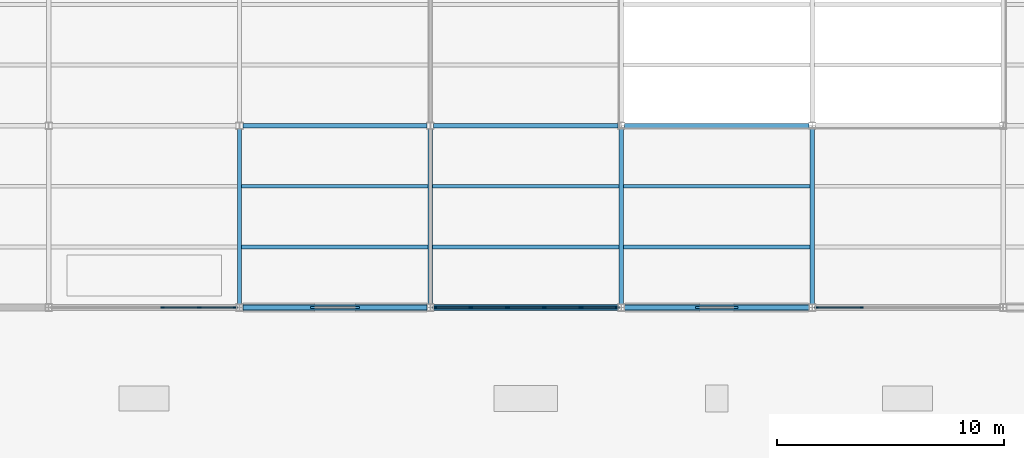
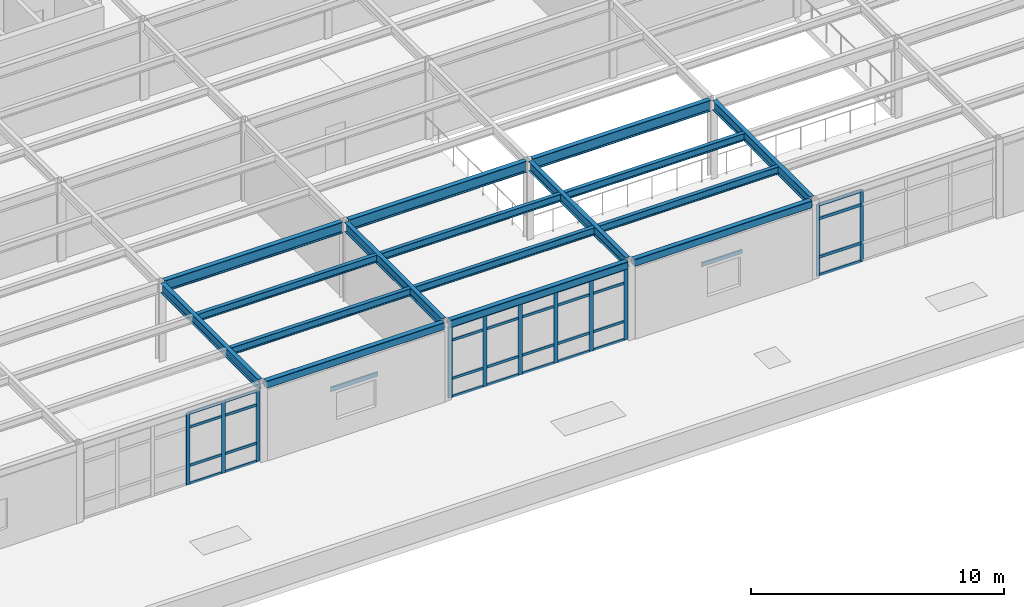
# One storey, part 30 of 138: 43 members, 18 beams, 3 elements without a shape of their own.
"""IFC4 building model written with IfcOpenShell, lengths in metres."""

import ifcopenshell
import ifcopenshell.guid

model = None  # the IFC model being written
_history = None  # IfcOwnerHistory: only IFC2X3 demands one
_inside = {}  # id of a spatial element -> (the spatial element, [elements in it])
_under = {}  # id of a project, library or spatial element -> (it, [spatial elements below it])
_declared = {}  # id of a project -> (the project, [libraries it declares])
_typed = {}  # id of a type object -> (the type object, [elements of that type])
_made_of = {}  # id of a material, layer set ... -> (it, [elements and type objects made of it])


def new_model(schema):
    """Start an empty IFC model of exactly this schema.

    Asked for "IFC4X3", IfcOpenShell would pick the latest addendum, in which some entities
    have other attributes; the version numbers below select the first issue.
    IFC2X3 requires an IfcOwnerHistory on every rooted entity: one is made here for all.
    """
    global model, _history
    if schema == "IFC4X3":
        model = ifcopenshell.file(schema_version=(4, 3, 0, 0))
    else:
        model = ifcopenshell.file(schema=schema)
    _inside.clear()
    _under.clear()
    _declared.clear()
    _typed.clear()
    _made_of.clear()
    _history = None
    if model.schema == "IFC2X3":
        org = make("IfcOrganization", Name="unknown")
        user = make(
            "IfcPersonAndOrganization",
            ThePerson=make("IfcPerson", FamilyName="unknown"),
            TheOrganization=org,
        )
        app = make(
            "IfcApplication",
            ApplicationDeveloper=org,
            Version="unknown",
            ApplicationFullName="unknown",
            ApplicationIdentifier="unknown",
        )
        _history = make(
            "IfcOwnerHistory",
            OwningUser=user,
            OwningApplication=app,
            ChangeAction="ADDED",
            CreationDate=0,
        )
    return model


def make(cls, **values):
    """One entity of the class cls with the attributes given. An attribute that is None is left unset."""
    return model.create_entity(
        cls, **{name: value for name, value in values.items() if value is not None}
    )


def rooted(cls, **values):
    """An entity with a GlobalId (a new one), such as an element, a storey or a relation."""
    return make(cls, GlobalId=ifcopenshell.guid.new(), OwnerHistory=_history, **values)


def si_unit(unit_type, name, prefix=None):
    """IfcSIUnit, for example si_unit("LENGTHUNIT", "METRE", prefix="MILLI")."""
    return make("IfcSIUnit", UnitType=unit_type, Prefix=prefix, Name=name)


def assignment(units):
    """IfcUnitAssignment: the units of a project."""
    return None if units is None else make("IfcUnitAssignment", Units=units)


def point(xyz):
    """IfcCartesianPoint."""
    return None if xyz is None else make("IfcCartesianPoint", Coordinates=xyz)


def direction(xyz):
    """IfcDirection."""
    return None if xyz is None else make("IfcDirection", DirectionRatios=xyz)


def frame(location, z_axis=None, x_axis=None):
    """IfcAxis2Placement3D, a coordinate frame: its origin and axes. An axis left out is left unset."""
    return make(
        "IfcAxis2Placement3D",
        Location=point(location),
        Axis=direction(z_axis),
        RefDirection=direction(x_axis),
    )


def frame_2d(location, x_axis=None):
    """IfcAxis2Placement2D, a coordinate frame in the plane: its origin and x axis."""
    return make(
        "IfcAxis2Placement2D", Location=point(location), RefDirection=direction(x_axis)
    )


def origin():
    """The frame at (0, 0, 0) with its axes left unset."""
    return frame((0.0, 0.0, 0.0))


def origin_2d():
    """The frame at (0, 0) in the plane with its x axis left unset."""
    return frame_2d((0.0, 0.0))


def place(relative_to, where):
    """IfcLocalPlacement: puts the frame where relative to a parent placement (None: the world)."""
    return make(
        "IfcLocalPlacement", PlacementRelTo=relative_to, RelativePlacement=where
    )


def context(
    kind, dimensions, precision=None, world=None, true_north=None, identifier=None
):
    """IfcGeometricRepresentationContext, for example the 3D "Model" context."""
    return make(
        "IfcGeometricRepresentationContext",
        ContextIdentifier=identifier,
        ContextType=kind,
        CoordinateSpaceDimension=dimensions,
        Precision=precision,
        WorldCoordinateSystem=world,
        TrueNorth=true_north,
    )


def subcontext(parent, identifier, kind, view, scale=None):
    """IfcGeometricRepresentationSubContext, for example "Body" below "Model"."""
    return make(
        "IfcGeometricRepresentationSubContext",
        ContextIdentifier=identifier,
        ContextType=kind,
        ParentContext=parent,
        TargetScale=scale,
        TargetView=view,
    )


def project(units=None, contexts=None):
    """IfcProject with its units and contexts."""
    return rooted(
        "IfcProject",
        Name="project",
        RepresentationContexts=contexts,
        UnitsInContext=assignment(units),
    )


def spatial(cls, under=None, at=None, **own):
    """A site, building, storey or space (cls), placed at a placement, below another one or the project."""
    s = rooted(cls, ObjectPlacement=at, **own)
    if under is not None:
        _under.setdefault(under.id(), (under, []))[1].append(s)
    return s


def profile(cls, at=None, kind="AREA", **sizes):
    """A parametric profile (cls). Its sizes go by their IFC names, for example OverallWidth=200.0."""
    return make(cls, ProfileType=kind, Position=at, **sizes)


def rectangle(**sizes):
    """IfcRectangleProfileDef."""
    return profile("IfcRectangleProfileDef", **sizes)


def hollow_rectangle(**sizes):
    """IfcRectangleHollowProfileDef."""
    return profile("IfcRectangleHollowProfileDef", **sizes)


def i_section(**sizes):
    """IfcIShapeProfileDef."""
    return profile("IfcIShapeProfileDef", **sizes)


def u_section(**sizes):
    """IfcUShapeProfileDef."""
    return profile("IfcUShapeProfileDef", **sizes)


def extrude(swept, where, along, depth):
    """IfcExtrudedAreaSolid: the profile swept, set in the frame where, extruded along a direction by depth."""
    return make(
        "IfcExtrudedAreaSolid",
        SweptArea=swept,
        Position=where,
        ExtrudedDirection=direction(along),
        Depth=depth,
    )


def shape(context_of_items, identifier, shape_type, items):
    """IfcShapeRepresentation: the items that make up one representation, for example the "Body"."""
    return make(
        "IfcShapeRepresentation",
        ContextOfItems=context_of_items,
        RepresentationIdentifier=identifier,
        RepresentationType=shape_type,
        Items=items,
    )


def material(Name=None, Category=None):
    """IfcMaterial."""
    return make("IfcMaterial", Name=Name, Category=Category)


def layer(
    of_material, thickness, ventilated=None, Name=None, Category=None, Priority=None
):
    """IfcMaterialLayer: one layer of a wall or slab, of a material (None: an air gap)."""
    return make(
        "IfcMaterialLayer",
        Material=of_material,
        LayerThickness=thickness,
        IsVentilated=ventilated,
        Name=Name,
        Category=Category,
        Priority=Priority,
    )


def layer_set(layers, Name=None):
    """IfcMaterialLayerSet."""
    return make("IfcMaterialLayerSet", MaterialLayers=layers, LayerSetName=Name)


def material_profile(
    of_material, cross_section, Name=None, Category=None, Priority=None
):
    """IfcMaterialProfile: a cross section and its material."""
    return make(
        "IfcMaterialProfile",
        Name=Name,
        Material=of_material,
        Profile=cross_section,
        Priority=Priority,
        Category=Category,
    )


def profile_set(profiles, Name=None, composite=None):
    """IfcMaterialProfileSet."""
    return make(
        "IfcMaterialProfileSet",
        Name=Name,
        MaterialProfiles=profiles,
        CompositeProfile=composite,
    )


def made_of(thing, what):
    """Note that an element or type object is made of a material, layer set ...; save() writes the relation."""
    if what is not None:
        _made_of.setdefault(what.id(), (what, []))[1].append(thing)
    return thing


def type_object(cls, material=None, **own):
    """A type object (cls), such as IfcWallType, which elements share."""
    return made_of(rooted(cls, **own), material)


def element(
    cls,
    number,
    at=None,
    inside=None,
    cuts=None,
    type_object=None,
    material=None,
    context=None,
    identifier="Body",
    shape_type=None,
    held_by="IfcProductDefinitionShape",
    body=None,
    shapes=None,
    **own,
):
    """One element of the class cls, such as IfcWall. Its Tag is "e" and its number.

    at: its placement. inside: the storey or other place that contains it. cuts: it is an
    opening in that element (IfcRelVoidsElement). A single representation is given by context,
    identifier, shape_type and body (its items); several are given by shapes. held_by: the class
    of the entity that holds the representations. save() writes the other relations.
    """
    e = rooted(cls, Tag="e%d" % number, ObjectPlacement=at, **own)
    if body is not None:
        shapes = [shape(context, identifier, shape_type, body)]
    if shapes is not None:
        e.Representation = make(held_by, Representations=shapes)
    if inside is not None:
        _inside.setdefault(inside.id(), (inside, []))[1].append(e)
    if cuts is not None:
        rooted(
            "IfcRelVoidsElement", RelatingBuildingElement=cuts, RelatedOpeningElement=e
        )
    if type_object is not None:
        _typed.setdefault(type_object.id(), (type_object, []))[1].append(e)
    return made_of(e, material)


def aggregate(whole, parts):
    """IfcRelAggregates: a whole, such as a stair, and the parts it consists of."""
    return rooted("IfcRelAggregates", RelatingObject=whole, RelatedObjects=parts)


def save(model, path):
    """Write the relations noted so far, then the file.

    IfcRelAggregates (storeys below a building ...), IfcRelContainedInSpatialStructure (elements
    in a storey), IfcRelDefinesByType, IfcRelAssociatesMaterial and IfcRelDeclares: one each for
    every whole, place, type object, material and project.
    """
    for whole, parts in _under.values():
        aggregate(whole, parts)
    for where, things in _inside.values():
        rooted(
            "IfcRelContainedInSpatialStructure",
            RelatedElements=things,
            RelatingStructure=where,
        )
    for kind, things in _typed.values():
        rooted("IfcRelDefinesByType", RelatedObjects=things, RelatingType=kind)
    for what, things in _made_of.values():
        rooted("IfcRelAssociatesMaterial", RelatedObjects=things, RelatingMaterial=what)
    for by, libraries in _declared.values():
        rooted("IfcRelDeclares", RelatingContext=by, RelatedDefinitions=libraries)
    model.write(path)


model = new_model("IFC4")

# Units and contexts
model_context = context("Model", 3, precision=1e-05, world=origin(), true_north=direction((0.0, 1.0)))
body_context = subcontext(model_context, "Body", "Model", "MODEL_VIEW")
ifc_project = project(units=[si_unit("LENGTHUNIT", "METRE"), si_unit("AREAUNIT", "SQUARE_METRE"), si_unit("VOLUMEUNIT", "CUBIC_METRE"), si_unit("PLANEANGLEUNIT", "RADIAN"), si_unit("MASSUNIT", "GRAM", prefix="KILO")], contexts=[model_context])

# Site, building, storey
site_placement = place(None, origin())
site = spatial("IfcSite", under=ifc_project, at=site_placement, CompositionType="ELEMENT")
building_placement = place(site_placement, origin())
building = spatial("IfcBuilding", under=site, at=building_placement, Name="Kranzveld Transit Interchange", CompositionType="ELEMENT")
storey_placement = place(building_placement, frame((0.0, 0.0, 5.43994140625)))
storey = spatial("IfcBuildingStorey", under=building, at=storey_placement, Name="L01", CompositionType="ELEMENT", Elevation=5.43994140625)

# Beams
ifc_material_1 = material(Name="Steel S355JR", Category="steel")
ifc_material_profile_1 = material_profile(ifc_material_1, i_section(OverallWidth=0.19189453125, OverallDepth=0.46337890625, WebThickness=0.010498046875, FlangeThickness=0.017578125, FilletRadius=0.01025390625, at=origin_2d()), Name="UB 457x191x89")
ifc_profile_set_1 = profile_set([ifc_material_profile_1], Name="Steel S355JR")
beam_type_1 = type_object("IfcBeamType", Name="Beam Steel UB 457x191x89 S355JR", PredefinedType="BEAM", material=ifc_profile_set_1)
for number, where, z_axis, x_axis, name in (
    (1, (67.199951171875, 8.150146484375, 3.568359375), (0.0, 1.0, 0.0), (-1.0, 0.0, 0.0), "L01 Girder 09/B-C"),
    (2, (75.60009765625, 8.150146484375, 3.568359375), (0.0, 1.0, 0.0), (-1.0, 0.0, 0.0), "L01 Girder 10/B-C"),
    (3, (84.0, 8.150146484375, 3.568359375), (0.0, 1.0, 0.0), (-1.0, 0.0, 0.0), "L01 Girder 11/B-C"),
    (4, (92.39990234375, 8.150146484375, 3.568359375), (0.0, 1.0, 0.0), (-1.0, 0.0, 0.0), "L01 Girder 12/B-C"),
):
    element("IfcBeam", number, at=place(storey_placement, frame(where, z_axis=z_axis, x_axis=x_axis)), inside=storey, type_object=beam_type_1, Name=name, PredefinedType="BEAM", context=body_context, shape_type="SweptSolid", body=[
        extrude(i_section(OverallWidth=0.19189453125, OverallDepth=0.46337890625, WebThickness=0.010498046875, FlangeThickness=0.017578125, FilletRadius=0.01025390625, at=origin_2d()), origin(), (0.0, 0.0, 1.0), 7.69970703125),
    ])

# Curtain wall, members
ifc_material_2 = material(Name="Bronze-anodised thermally broken aluminium", Category="aluminium")
ifc_layer_1 = layer(ifc_material_2, 0.159912109375)
ifc_layer_set_1 = layer_set([ifc_layer_1], Name="Bronze-anodised thermally broken aluminium")
curtain_wall_type_1 = type_object("IfcCurtainWallType", Name="Bus Boarding Glazed Screen CW-3", PredefinedType="USERDEFINED", material=ifc_layer_set_1)
curtain_wall_1_placement = place(storey_placement, origin())
curtain_wall_1 = element("IfcCurtainWall", 5, at=curtain_wall_1_placement, inside=storey, type_object=curtain_wall_type_1, Name="L01 Curtain Wall 12/B-13/B", ObjectType="CURTAIN WALL", PredefinedType="USERDEFINED")
ifc_material_3 = material(Name="Bronze-anodised thermally broken aluminium", Category="aluminium")
ifc_material_profile_2 = material_profile(ifc_material_3, rectangle(XDim=0.06005859375, YDim=0.14990234375, at=origin_2d()), Name="ALU MULLION 60x150")
ifc_profile_set_2 = profile_set([ifc_material_profile_2], Name="Bronze-anodised thermally broken aluminium")
member_type_1 = type_object("IfcMemberType", Name="Curtain Wall Mullion 60x150 Alu", PredefinedType="MULLION", material=ifc_profile_set_2)
member_1_placement = place(storey_placement, frame((92.584716796875, 8.0, 0.0), z_axis=(0.0, 0.0, 1.0), x_axis=(0.0, 1.0, 0.0)))
member_1 = element("IfcMember", 6, at=member_1_placement, type_object=member_type_1, Name="CW-3 mullion 1", PredefinedType="MULLION", context=body_context, shape_type="SweptSolid", body=[
    extrude(rectangle(XDim=0.06005859375, YDim=0.14990234375, at=origin_2d()), origin(), (0.0, 0.0, 1.0), 3.449951171875),
])
member_2_placement = place(storey_placement, frame((94.577392578125, 8.0, 0.0), z_axis=(0.0, 0.0, 1.0), x_axis=(0.0, 1.0, 0.0)))
member_2 = element("IfcMember", 7, at=member_2_placement, type_object=member_type_1, Name="CW-3 mullion 2", PredefinedType="MULLION", context=body_context, shape_type="SweptSolid", body=[
    extrude(rectangle(XDim=0.06005859375, YDim=0.14990234375, at=origin_2d()), origin(), (0.0, 0.0, 1.0), 3.449951171875),
])

ifc_material_4 = material(Name="Bronze-anodised thermally broken aluminium", Category="aluminium")
ifc_layer_2 = layer(ifc_material_4, 0.155029296875)
ifc_layer_set_2 = layer_set([ifc_layer_2], Name="Bronze-anodised thermally broken aluminium")
curtain_wall_type_2 = type_object("IfcCurtainWallType", Name="Operations Courtyard Glazed Screen CW-6", PredefinedType="USERDEFINED", material=ifc_layer_set_2)
curtain_wall_2_placement = place(storey_placement, origin())
curtain_wall_2 = element("IfcCurtainWall", 8, at=curtain_wall_2_placement, inside=storey, type_object=curtain_wall_type_2, Name="L01 Curtain Wall 08/B-09/B", ObjectType="CURTAIN WALL", PredefinedType="USERDEFINED")
ifc_material_5 = material(Name="Bronze-anodised thermally broken aluminium", Category="aluminium")
ifc_material_profile_3 = material_profile(ifc_material_5, rectangle(XDim=0.06494140625, YDim=0.1650390625, at=origin_2d()), Name="ALU MULLION 65x165")
ifc_profile_set_3 = profile_set([ifc_material_profile_3], Name="Bronze-anodised thermally broken aluminium")
member_type_2 = type_object("IfcMemberType", Name="Curtain Wall Mullion 65x165 Alu", PredefinedType="MULLION", material=ifc_profile_set_3)
member_3_placement = place(storey_placement, frame((63.80908203125, 8.0, 0.0), z_axis=(0.0, 0.0, 1.0), x_axis=(0.0, 1.0, 0.0)))
member_3 = element("IfcMember", 9, at=member_3_placement, type_object=member_type_2, Name="CW-6 mullion 4", PredefinedType="MULLION", context=body_context, shape_type="SweptSolid", body=[
    extrude(rectangle(XDim=0.06494140625, YDim=0.1650390625, at=origin_2d()), origin(), (0.0, 0.0, 1.0), 3.449951171875),
])
member_4_placement = place(storey_placement, frame((65.42724609375, 8.0, 0.0), z_axis=(0.0, 0.0, 1.0), x_axis=(0.0, 1.0, 0.0)))
member_4 = element("IfcMember", 10, at=member_4_placement, type_object=member_type_2, Name="CW-6 mullion 5", PredefinedType="MULLION", context=body_context, shape_type="SweptSolid", body=[
    extrude(rectangle(XDim=0.06494140625, YDim=0.1650390625, at=origin_2d()), origin(), (0.0, 0.0, 1.0), 3.449951171875),
])
member_5_placement = place(storey_placement, frame((67.012939453125, 8.0, 0.0), z_axis=(0.0, 0.0, 1.0), x_axis=(0.0, 1.0, 0.0)))
member_5 = element("IfcMember", 11, at=member_5_placement, type_object=member_type_2, Name="CW-6 mullion 6", PredefinedType="MULLION", context=body_context, shape_type="SweptSolid", body=[
    extrude(rectangle(XDim=0.06494140625, YDim=0.1650390625, at=origin_2d()), origin(), (0.0, 0.0, 1.0), 3.449951171875),
])

ifc_material_6 = material(Name="Bronze-anodised thermally broken aluminium", Category="aluminium")
ifc_layer_3 = layer(ifc_material_6, 0.1650390625)
ifc_layer_set_3 = layer_set([ifc_layer_3], Name="Bronze-anodised thermally broken aluminium")
curtain_wall_type_3 = type_object("IfcCurtainWallType", Name="Sunny Court Arcade Curtain Wall CW-2", PredefinedType="USERDEFINED", material=ifc_layer_set_3)
curtain_wall_3_placement = place(storey_placement, origin())
curtain_wall_3 = element("IfcCurtainWall", 12, at=curtain_wall_3_placement, inside=storey, type_object=curtain_wall_type_3, Name="L01 Curtain Wall 10/B-11/B", ObjectType="CURTAIN WALL", PredefinedType="USERDEFINED")
ifc_material_7 = material(Name="Bronze-anodised thermally broken aluminium", Category="aluminium")
ifc_material_profile_4 = material_profile(ifc_material_7, rectangle(XDim=0.06494140625, YDim=0.179931640625, at=origin_2d()), Name="ALU MULLION 65x180")
ifc_profile_set_4 = profile_set([ifc_material_profile_4], Name="Bronze-anodised thermally broken aluminium")
member_type_3 = type_object("IfcMemberType", Name="Curtain Wall Mullion 65x180 Alu", PredefinedType="MULLION", material=ifc_profile_set_4)
member_6_placement = place(storey_placement, frame((75.787109375, 8.0, 0.0), z_axis=(0.0, 0.0, 1.0), x_axis=(0.0, 1.0, 0.0)))
member_6 = element("IfcMember", 13, at=member_6_placement, type_object=member_type_3, Name="CW-2 mullion 1", PredefinedType="MULLION", context=body_context, shape_type="SweptSolid", body=[
    extrude(rectangle(XDim=0.06494140625, YDim=0.179931640625, at=origin_2d()), origin(), (0.0, 0.0, 1.0), 3.449951171875),
])
member_7_placement = place(storey_placement, frame((77.372802734375, 8.0, 0.0), z_axis=(0.0, 0.0, 1.0), x_axis=(0.0, 1.0, 0.0)))
member_7 = element("IfcMember", 14, at=member_7_placement, type_object=member_type_3, Name="CW-2 mullion 2", PredefinedType="MULLION", context=body_context, shape_type="SweptSolid", body=[
    extrude(rectangle(XDim=0.06494140625, YDim=0.179931640625, at=origin_2d()), origin(), (0.0, 0.0, 1.0), 3.449951171875),
])
member_8_placement = place(storey_placement, frame((78.990966796875, 8.0, 0.0), z_axis=(0.0, 0.0, 1.0), x_axis=(0.0, 1.0, 0.0)))
member_8 = element("IfcMember", 15, at=member_8_placement, type_object=member_type_3, Name="CW-2 mullion 3", PredefinedType="MULLION", context=body_context, shape_type="SweptSolid", body=[
    extrude(rectangle(XDim=0.06494140625, YDim=0.179931640625, at=origin_2d()), origin(), (0.0, 0.0, 1.0), 3.449951171875),
])
member_9_placement = place(storey_placement, frame((80.609130859375, 8.0, 0.0), z_axis=(0.0, 0.0, 1.0), x_axis=(0.0, 1.0, 0.0)))
member_9 = element("IfcMember", 16, at=member_9_placement, type_object=member_type_3, Name="CW-2 mullion 4", PredefinedType="MULLION", context=body_context, shape_type="SweptSolid", body=[
    extrude(rectangle(XDim=0.06494140625, YDim=0.179931640625, at=origin_2d()), origin(), (0.0, 0.0, 1.0), 3.449951171875),
])
member_10_placement = place(storey_placement, frame((82.227294921875, 8.0, 0.0), z_axis=(0.0, 0.0, 1.0), x_axis=(0.0, 1.0, 0.0)))
member_10 = element("IfcMember", 17, at=member_10_placement, type_object=member_type_3, Name="CW-2 mullion 5", PredefinedType="MULLION", context=body_context, shape_type="SweptSolid", body=[
    extrude(rectangle(XDim=0.06494140625, YDim=0.179931640625, at=origin_2d()), origin(), (0.0, 0.0, 1.0), 3.449951171875),
])
member_11_placement = place(storey_placement, frame((83.81298828125, 8.0, 0.0), z_axis=(0.0, 0.0, 1.0), x_axis=(0.0, 1.0, 0.0)))
member_11 = element("IfcMember", 18, at=member_11_placement, type_object=member_type_3, Name="CW-2 mullion 6", PredefinedType="MULLION", context=body_context, shape_type="SweptSolid", body=[
    extrude(rectangle(XDim=0.06494140625, YDim=0.179931640625, at=origin_2d()), origin(), (0.0, 0.0, 1.0), 3.449951171875),
])

# Member
ifc_material_8 = material(Name="Bronze-anodised thermally broken aluminium", Category="aluminium")
ifc_material_profile_5 = material_profile(ifc_material_8, rectangle(XDim=0.06005859375, YDim=0.125, at=origin_2d()), Name="ALU TRANSOM 60x125")
ifc_profile_set_5 = profile_set([ifc_material_profile_5], Name="Bronze-anodised thermally broken aluminium")
member_type_4 = type_object("IfcMemberType", Name="Curtain Wall Transom 60x125 Alu", PredefinedType="USERDEFINED", material=ifc_profile_set_5)
member_12_placement = place(storey_placement, frame((63.841552734375, 8.0, 0.030029296875), z_axis=(1.0, 0.0, 0.0), x_axis=(0.0, 1.0, 0.0)))
member_12 = element("IfcMember", 19, at=member_12_placement, type_object=member_type_4, Name="CW-6 transom 4.1", ObjectType="TRANSOM", PredefinedType="USERDEFINED", context=body_context, shape_type="SweptSolid", body=[
    extrude(rectangle(XDim=0.06005859375, YDim=0.125, at=origin_2d()), origin(), (0.0, 0.0, 1.0), 1.55322265625),
])

member_13_placement = place(storey_placement, frame((63.841552734375, 8.0, 0.900146484375), z_axis=(1.0, 0.0, 0.0), x_axis=(0.0, 1.0, 0.0)))
member_13 = element("IfcMember", 20, at=member_13_placement, type_object=member_type_4, Name="CW-6 transom 4.2", ObjectType="TRANSOM", PredefinedType="USERDEFINED", context=body_context, shape_type="SweptSolid", body=[
    extrude(rectangle(XDim=0.06005859375, YDim=0.125, at=origin_2d()), origin(), (0.0, 0.0, 1.0), 1.55322265625),
])

member_14_placement = place(storey_placement, frame((63.841552734375, 8.0, 2.75), z_axis=(1.0, 0.0, 0.0), x_axis=(0.0, 1.0, 0.0)))
member_14 = element("IfcMember", 21, at=member_14_placement, type_object=member_type_4, Name="CW-6 transom 4.3", ObjectType="TRANSOM", PredefinedType="USERDEFINED", context=body_context, shape_type="SweptSolid", body=[
    extrude(rectangle(XDim=0.06005859375, YDim=0.125, at=origin_2d()), origin(), (0.0, 0.0, 1.0), 1.55322265625),
])

member_15_placement = place(storey_placement, frame((63.841552734375, 8.0, 3.420166015625), z_axis=(1.0, 0.0, 0.0), x_axis=(0.0, 1.0, 0.0)))
member_15 = element("IfcMember", 22, at=member_15_placement, type_object=member_type_4, Name="CW-6 transom 4.4", ObjectType="TRANSOM", PredefinedType="USERDEFINED", context=body_context, shape_type="SweptSolid", body=[
    extrude(rectangle(XDim=0.06005859375, YDim=0.125, at=origin_2d()), origin(), (0.0, 0.0, 1.0), 1.55322265625),
])

member_16_placement = place(storey_placement, frame((65.459716796875, 8.0, 0.030029296875), z_axis=(1.0, 0.0, 0.0), x_axis=(0.0, 1.0, 0.0)))
member_16 = element("IfcMember", 23, at=member_16_placement, type_object=member_type_4, Name="CW-6 transom 5.1", ObjectType="TRANSOM", PredefinedType="USERDEFINED", context=body_context, shape_type="SweptSolid", body=[
    extrude(rectangle(XDim=0.06005859375, YDim=0.125, at=origin_2d()), origin(), (0.0, 0.0, 1.0), 1.520751953125),
])

member_17_placement = place(storey_placement, frame((65.459716796875, 8.0, 0.900146484375), z_axis=(1.0, 0.0, 0.0), x_axis=(0.0, 1.0, 0.0)))
member_17 = element("IfcMember", 24, at=member_17_placement, type_object=member_type_4, Name="CW-6 transom 5.2", ObjectType="TRANSOM", PredefinedType="USERDEFINED", context=body_context, shape_type="SweptSolid", body=[
    extrude(rectangle(XDim=0.06005859375, YDim=0.125, at=origin_2d()), origin(), (0.0, 0.0, 1.0), 1.520751953125),
])

member_18_placement = place(storey_placement, frame((65.459716796875, 8.0, 2.75), z_axis=(1.0, 0.0, 0.0), x_axis=(0.0, 1.0, 0.0)))
member_18 = element("IfcMember", 25, at=member_18_placement, type_object=member_type_4, Name="CW-6 transom 5.3", ObjectType="TRANSOM", PredefinedType="USERDEFINED", context=body_context, shape_type="SweptSolid", body=[
    extrude(rectangle(XDim=0.06005859375, YDim=0.125, at=origin_2d()), origin(), (0.0, 0.0, 1.0), 1.520751953125),
])

member_19_placement = place(storey_placement, frame((65.459716796875, 8.0, 3.420166015625), z_axis=(1.0, 0.0, 0.0), x_axis=(0.0, 1.0, 0.0)))
member_19 = element("IfcMember", 26, at=member_19_placement, type_object=member_type_4, Name="CW-6 transom 5.4", ObjectType="TRANSOM", PredefinedType="USERDEFINED", context=body_context, shape_type="SweptSolid", body=[
    extrude(rectangle(XDim=0.06005859375, YDim=0.125, at=origin_2d()), origin(), (0.0, 0.0, 1.0), 1.520751953125),
])

aggregate(curtain_wall_2, [member_3, member_4, member_5, member_12, member_13, member_14, member_15, member_16, member_17, member_18, member_19])

member_20_placement = place(storey_placement, frame((75.819580078125, 8.0, 0.030029296875), z_axis=(1.0, 0.0, 0.0), x_axis=(0.0, 1.0, 0.0)))
member_20 = element("IfcMember", 27, at=member_20_placement, type_object=member_type_4, Name="CW-2 transom 1.1", ObjectType="TRANSOM", PredefinedType="USERDEFINED", context=body_context, shape_type="SweptSolid", body=[
    extrude(rectangle(XDim=0.06005859375, YDim=0.125, at=origin_2d()), origin(), (0.0, 0.0, 1.0), 1.520751953125),
])

member_21_placement = place(storey_placement, frame((75.819580078125, 8.0, 0.900146484375), z_axis=(1.0, 0.0, 0.0), x_axis=(0.0, 1.0, 0.0)))
member_21 = element("IfcMember", 28, at=member_21_placement, type_object=member_type_4, Name="CW-2 transom 1.2", ObjectType="TRANSOM", PredefinedType="USERDEFINED", context=body_context, shape_type="SweptSolid", body=[
    extrude(rectangle(XDim=0.06005859375, YDim=0.125, at=origin_2d()), origin(), (0.0, 0.0, 1.0), 1.520751953125),
])

member_22_placement = place(storey_placement, frame((75.819580078125, 8.0, 2.75), z_axis=(1.0, 0.0, 0.0), x_axis=(0.0, 1.0, 0.0)))
member_22 = element("IfcMember", 29, at=member_22_placement, type_object=member_type_4, Name="CW-2 transom 1.3", ObjectType="TRANSOM", PredefinedType="USERDEFINED", context=body_context, shape_type="SweptSolid", body=[
    extrude(rectangle(XDim=0.06005859375, YDim=0.125, at=origin_2d()), origin(), (0.0, 0.0, 1.0), 1.520751953125),
])

member_23_placement = place(storey_placement, frame((75.819580078125, 8.0, 3.420166015625), z_axis=(1.0, 0.0, 0.0), x_axis=(0.0, 1.0, 0.0)))
member_23 = element("IfcMember", 30, at=member_23_placement, type_object=member_type_4, Name="CW-2 transom 1.4", ObjectType="TRANSOM", PredefinedType="USERDEFINED", context=body_context, shape_type="SweptSolid", body=[
    extrude(rectangle(XDim=0.06005859375, YDim=0.125, at=origin_2d()), origin(), (0.0, 0.0, 1.0), 1.520751953125),
])

member_24_placement = place(storey_placement, frame((77.4052734375, 8.0, 0.030029296875), z_axis=(1.0, 0.0, 0.0), x_axis=(0.0, 1.0, 0.0)))
member_24 = element("IfcMember", 31, at=member_24_placement, type_object=member_type_4, Name="CW-2 transom 2.1", ObjectType="TRANSOM", PredefinedType="USERDEFINED", context=body_context, shape_type="SweptSolid", body=[
    extrude(rectangle(XDim=0.06005859375, YDim=0.125, at=origin_2d()), origin(), (0.0, 0.0, 1.0), 1.55322265625),
])

member_25_placement = place(storey_placement, frame((77.4052734375, 8.0, 0.900146484375), z_axis=(1.0, 0.0, 0.0), x_axis=(0.0, 1.0, 0.0)))
member_25 = element("IfcMember", 32, at=member_25_placement, type_object=member_type_4, Name="CW-2 transom 2.2", ObjectType="TRANSOM", PredefinedType="USERDEFINED", context=body_context, shape_type="SweptSolid", body=[
    extrude(rectangle(XDim=0.06005859375, YDim=0.125, at=origin_2d()), origin(), (0.0, 0.0, 1.0), 1.55322265625),
])

member_26_placement = place(storey_placement, frame((77.4052734375, 8.0, 2.75), z_axis=(1.0, 0.0, 0.0), x_axis=(0.0, 1.0, 0.0)))
member_26 = element("IfcMember", 33, at=member_26_placement, type_object=member_type_4, Name="CW-2 transom 2.3", ObjectType="TRANSOM", PredefinedType="USERDEFINED", context=body_context, shape_type="SweptSolid", body=[
    extrude(rectangle(XDim=0.06005859375, YDim=0.125, at=origin_2d()), origin(), (0.0, 0.0, 1.0), 1.55322265625),
])

member_27_placement = place(storey_placement, frame((77.4052734375, 8.0, 3.420166015625), z_axis=(1.0, 0.0, 0.0), x_axis=(0.0, 1.0, 0.0)))
member_27 = element("IfcMember", 34, at=member_27_placement, type_object=member_type_4, Name="CW-2 transom 2.4", ObjectType="TRANSOM", PredefinedType="USERDEFINED", context=body_context, shape_type="SweptSolid", body=[
    extrude(rectangle(XDim=0.06005859375, YDim=0.125, at=origin_2d()), origin(), (0.0, 0.0, 1.0), 1.55322265625),
])

member_28_placement = place(storey_placement, frame((79.0234375, 8.0, 0.030029296875), z_axis=(1.0, 0.0, 0.0), x_axis=(0.0, 1.0, 0.0)))
member_28 = element("IfcMember", 35, at=member_28_placement, type_object=member_type_4, Name="CW-2 transom 3.1", ObjectType="TRANSOM", PredefinedType="USERDEFINED", context=body_context, shape_type="SweptSolid", body=[
    extrude(rectangle(XDim=0.06005859375, YDim=0.125, at=origin_2d()), origin(), (0.0, 0.0, 1.0), 1.55322265625),
])

member_29_placement = place(storey_placement, frame((79.0234375, 8.0, 0.900146484375), z_axis=(1.0, 0.0, 0.0), x_axis=(0.0, 1.0, 0.0)))
member_29 = element("IfcMember", 36, at=member_29_placement, type_object=member_type_4, Name="CW-2 transom 3.2", ObjectType="TRANSOM", PredefinedType="USERDEFINED", context=body_context, shape_type="SweptSolid", body=[
    extrude(rectangle(XDim=0.06005859375, YDim=0.125, at=origin_2d()), origin(), (0.0, 0.0, 1.0), 1.55322265625),
])

member_30_placement = place(storey_placement, frame((79.0234375, 8.0, 2.75), z_axis=(1.0, 0.0, 0.0), x_axis=(0.0, 1.0, 0.0)))
member_30 = element("IfcMember", 37, at=member_30_placement, type_object=member_type_4, Name="CW-2 transom 3.3", ObjectType="TRANSOM", PredefinedType="USERDEFINED", context=body_context, shape_type="SweptSolid", body=[
    extrude(rectangle(XDim=0.06005859375, YDim=0.125, at=origin_2d()), origin(), (0.0, 0.0, 1.0), 1.55322265625),
])

member_31_placement = place(storey_placement, frame((79.0234375, 8.0, 3.420166015625), z_axis=(1.0, 0.0, 0.0), x_axis=(0.0, 1.0, 0.0)))
member_31 = element("IfcMember", 38, at=member_31_placement, type_object=member_type_4, Name="CW-2 transom 3.4", ObjectType="TRANSOM", PredefinedType="USERDEFINED", context=body_context, shape_type="SweptSolid", body=[
    extrude(rectangle(XDim=0.06005859375, YDim=0.125, at=origin_2d()), origin(), (0.0, 0.0, 1.0), 1.55322265625),
])

member_32_placement = place(storey_placement, frame((80.6416015625, 8.0, 0.030029296875), z_axis=(1.0, 0.0, 0.0), x_axis=(0.0, 1.0, 0.0)))
member_32 = element("IfcMember", 39, at=member_32_placement, type_object=member_type_4, Name="CW-2 transom 4.1", ObjectType="TRANSOM", PredefinedType="USERDEFINED", context=body_context, shape_type="SweptSolid", body=[
    extrude(rectangle(XDim=0.06005859375, YDim=0.125, at=origin_2d()), origin(), (0.0, 0.0, 1.0), 1.55322265625),
])

member_33_placement = place(storey_placement, frame((80.6416015625, 8.0, 0.900146484375), z_axis=(1.0, 0.0, 0.0), x_axis=(0.0, 1.0, 0.0)))
member_33 = element("IfcMember", 40, at=member_33_placement, type_object=member_type_4, Name="CW-2 transom 4.2", ObjectType="TRANSOM", PredefinedType="USERDEFINED", context=body_context, shape_type="SweptSolid", body=[
    extrude(rectangle(XDim=0.06005859375, YDim=0.125, at=origin_2d()), origin(), (0.0, 0.0, 1.0), 1.55322265625),
])

member_34_placement = place(storey_placement, frame((80.6416015625, 8.0, 2.75), z_axis=(1.0, 0.0, 0.0), x_axis=(0.0, 1.0, 0.0)))
member_34 = element("IfcMember", 41, at=member_34_placement, type_object=member_type_4, Name="CW-2 transom 4.3", ObjectType="TRANSOM", PredefinedType="USERDEFINED", context=body_context, shape_type="SweptSolid", body=[
    extrude(rectangle(XDim=0.06005859375, YDim=0.125, at=origin_2d()), origin(), (0.0, 0.0, 1.0), 1.55322265625),
])

member_35_placement = place(storey_placement, frame((80.6416015625, 8.0, 3.420166015625), z_axis=(1.0, 0.0, 0.0), x_axis=(0.0, 1.0, 0.0)))
member_35 = element("IfcMember", 42, at=member_35_placement, type_object=member_type_4, Name="CW-2 transom 4.4", ObjectType="TRANSOM", PredefinedType="USERDEFINED", context=body_context, shape_type="SweptSolid", body=[
    extrude(rectangle(XDim=0.06005859375, YDim=0.125, at=origin_2d()), origin(), (0.0, 0.0, 1.0), 1.55322265625),
])

member_36_placement = place(storey_placement, frame((82.259765625, 8.0, 0.030029296875), z_axis=(1.0, 0.0, 0.0), x_axis=(0.0, 1.0, 0.0)))
member_36 = element("IfcMember", 43, at=member_36_placement, type_object=member_type_4, Name="CW-2 transom 5.1", ObjectType="TRANSOM", PredefinedType="USERDEFINED", context=body_context, shape_type="SweptSolid", body=[
    extrude(rectangle(XDim=0.06005859375, YDim=0.125, at=origin_2d()), origin(), (0.0, 0.0, 1.0), 1.520751953125),
])

member_37_placement = place(storey_placement, frame((82.259765625, 8.0, 0.900146484375), z_axis=(1.0, 0.0, 0.0), x_axis=(0.0, 1.0, 0.0)))
member_37 = element("IfcMember", 44, at=member_37_placement, type_object=member_type_4, Name="CW-2 transom 5.2", ObjectType="TRANSOM", PredefinedType="USERDEFINED", context=body_context, shape_type="SweptSolid", body=[
    extrude(rectangle(XDim=0.06005859375, YDim=0.125, at=origin_2d()), origin(), (0.0, 0.0, 1.0), 1.520751953125),
])

member_38_placement = place(storey_placement, frame((82.259765625, 8.0, 2.75), z_axis=(1.0, 0.0, 0.0), x_axis=(0.0, 1.0, 0.0)))
member_38 = element("IfcMember", 45, at=member_38_placement, type_object=member_type_4, Name="CW-2 transom 5.3", ObjectType="TRANSOM", PredefinedType="USERDEFINED", context=body_context, shape_type="SweptSolid", body=[
    extrude(rectangle(XDim=0.06005859375, YDim=0.125, at=origin_2d()), origin(), (0.0, 0.0, 1.0), 1.520751953125),
])

member_39_placement = place(storey_placement, frame((82.259765625, 8.0, 3.420166015625), z_axis=(1.0, 0.0, 0.0), x_axis=(0.0, 1.0, 0.0)))
member_39 = element("IfcMember", 46, at=member_39_placement, type_object=member_type_4, Name="CW-2 transom 5.4", ObjectType="TRANSOM", PredefinedType="USERDEFINED", context=body_context, shape_type="SweptSolid", body=[
    extrude(rectangle(XDim=0.06005859375, YDim=0.125, at=origin_2d()), origin(), (0.0, 0.0, 1.0), 1.520751953125),
])

aggregate(curtain_wall_3, [member_6, member_7, member_8, member_9, member_10, member_11, member_20, member_21, member_22, member_23, member_24, member_25, member_26, member_27, member_28, member_29, member_30, member_31, member_32, member_33, member_34, member_35, member_36, member_37, member_38, member_39])

ifc_material_9 = material(Name="Bronze-anodised thermally broken aluminium", Category="aluminium")
ifc_material_profile_6 = material_profile(ifc_material_9, rectangle(XDim=0.06494140625, YDim=0.139892578125, at=origin_2d()), Name="ALU TRANSOM 65x140")
ifc_profile_set_6 = profile_set([ifc_material_profile_6], Name="Bronze-anodised thermally broken aluminium")
member_type_5 = type_object("IfcMemberType", Name="Curtain Wall Transom 65x140 Alu", PredefinedType="USERDEFINED", material=ifc_profile_set_6)
member_40_placement = place(storey_placement, frame((92.614501953125, 8.0, 0.032470703125), z_axis=(1.0, 0.0, 0.0), x_axis=(0.0, 1.0, 0.0)))
member_40 = element("IfcMember", 47, at=member_40_placement, type_object=member_type_5, Name="CW-3 transom 1.1", ObjectType="TRANSOM", PredefinedType="USERDEFINED", context=body_context, shape_type="SweptSolid", body=[
    extrude(rectangle(XDim=0.06494140625, YDim=0.139892578125, at=origin_2d()), origin(), (0.0, 0.0, 1.0), 1.932861328125),
])

member_41_placement = place(storey_placement, frame((92.614501953125, 8.0, 0.900146484375), z_axis=(1.0, 0.0, 0.0), x_axis=(0.0, 1.0, 0.0)))
member_41 = element("IfcMember", 48, at=member_41_placement, type_object=member_type_5, Name="CW-3 transom 1.2", ObjectType="TRANSOM", PredefinedType="USERDEFINED", context=body_context, shape_type="SweptSolid", body=[
    extrude(rectangle(XDim=0.06494140625, YDim=0.139892578125, at=origin_2d()), origin(), (0.0, 0.0, 1.0), 1.932861328125),
])

member_42_placement = place(storey_placement, frame((92.614501953125, 8.0, 2.75), z_axis=(1.0, 0.0, 0.0), x_axis=(0.0, 1.0, 0.0)))
member_42 = element("IfcMember", 49, at=member_42_placement, type_object=member_type_5, Name="CW-3 transom 1.3", ObjectType="TRANSOM", PredefinedType="USERDEFINED", context=body_context, shape_type="SweptSolid", body=[
    extrude(rectangle(XDim=0.06494140625, YDim=0.139892578125, at=origin_2d()), origin(), (0.0, 0.0, 1.0), 1.932861328125),
])

member_43_placement = place(storey_placement, frame((92.614501953125, 8.0, 3.41748046875), z_axis=(1.0, 0.0, 0.0), x_axis=(0.0, 1.0, 0.0)))
member_43 = element("IfcMember", 50, at=member_43_placement, type_object=member_type_5, Name="CW-3 transom 1.4", ObjectType="TRANSOM", PredefinedType="USERDEFINED", context=body_context, shape_type="SweptSolid", body=[
    extrude(rectangle(XDim=0.06494140625, YDim=0.139892578125, at=origin_2d()), origin(), (0.0, 0.0, 1.0), 1.932861328125),
])

aggregate(curtain_wall_1, [member_1, member_2, member_40, member_41, member_42, member_43])

# Beams
ifc_material_10 = material(Name="Steel S355JR", Category="steel")
ifc_material_profile_7 = material_profile(ifc_material_10, hollow_rectangle(XDim=0.25, YDim=0.35009765625, WallThickness=0.012451171875, InnerFilletRadius=0.018798828125, OuterFilletRadius=0.03125, at=origin_2d()), Name="RHS 350x250x12.5")
ifc_profile_set_7 = profile_set([ifc_material_profile_7], Name="Steel S355JR")
beam_type_2 = type_object("IfcBeamType", Name="Edge Spandrel RHS 350x250x12.5 S355JR", PredefinedType="SPANDREL", material=ifc_profile_set_7)
for number, where, z_axis, x_axis, name in (
    (51, (67.344482421875, 8.0, 3.625), (1.0, 0.0, 0.0), (0.0, 1.0, 0.0), "L01 Girder 09-10/B"),
    (52, (75.74462890625, 8.0, 3.625), (1.0, 0.0, 0.0), (0.0, 1.0, 0.0), "L01 Girder 10-11/B"),
    (53, (84.14453125, 8.0, 3.625), (1.0, 0.0, 0.0), (0.0, 1.0, 0.0), "L01 Girder 11-12/B"),
):
    element("IfcBeam", number, at=place(storey_placement, frame(where, z_axis=z_axis, x_axis=x_axis)), inside=storey, type_object=beam_type_2, Name=name, PredefinedType="SPANDREL", context=body_context, shape_type="SweptSolid", body=[
        extrude(hollow_rectangle(XDim=0.25, YDim=0.35009765625, WallThickness=0.012451171875, InnerFilletRadius=0.018798828125, OuterFilletRadius=0.03125, at=origin_2d()), origin(), (0.0, 0.0, 1.0), 8.11083984375),
    ])
ifc_material_11 = material(Name="Steel S355JR", Category="steel")
ifc_material_profile_8 = material_profile(ifc_material_11, i_section(OverallWidth=0.172119140625, OverallDepth=0.35791015625, WebThickness=0.008056640625, FlangeThickness=0.012939453125, FilletRadius=0.01025390625, at=origin_2d()), Name="UB 356x171x57")
ifc_profile_set_8 = profile_set([ifc_material_profile_8], Name="Steel S355JR")
beam_type_3 = type_object("IfcBeamType", Name="Floor Joist UB 356x171x57 S355JR", PredefinedType="JOIST", material=ifc_profile_set_8)
for number, where, z_axis, x_axis, name in (
    (54, (67.2978515625, 10.666748046875, 3.62109375), (1.0, 0.0, 0.0), (0.0, 1.0, 0.0), "L01 Secondary Joist 09-10/B.1"),
    (55, (67.2978515625, 13.333251953125, 3.62109375), (1.0, 0.0, 0.0), (0.0, 1.0, 0.0), "L01 Secondary Joist 09-10/B.2"),
    (56, (75.697998046875, 10.666748046875, 3.62109375), (1.0, 0.0, 0.0), (0.0, 1.0, 0.0), "L01 Secondary Joist 10-11/B.1"),
    (57, (75.697998046875, 13.333251953125, 3.62109375), (1.0, 0.0, 0.0), (0.0, 1.0, 0.0), "L01 Secondary Joist 10-11/B.2"),
    (58, (84.097900390625, 10.666748046875, 3.62109375), (1.0, 0.0, 0.0), (0.0, 1.0, 0.0), "L01 Secondary Joist 11-12/B.1"),
    (59, (84.097900390625, 13.333251953125, 3.62109375), (1.0, 0.0, 0.0), (0.0, 1.0, 0.0), "L01 Secondary Joist 11-12/B.2"),
):
    element("IfcBeam", number, at=place(storey_placement, frame(where, z_axis=z_axis, x_axis=x_axis)), inside=storey, type_object=beam_type_3, Name=name, PredefinedType="JOIST", context=body_context, shape_type="SweptSolid", body=[
        extrude(i_section(OverallWidth=0.172119140625, OverallDepth=0.35791015625, WebThickness=0.008056640625, FlangeThickness=0.012939453125, FilletRadius=0.01025390625, at=origin_2d()), origin(), (0.0, 0.0, 1.0), 8.2041015625),
    ])
ifc_material_12 = material(Name="Steel S355JR", Category="steel")
ifc_material_profile_9 = material_profile(ifc_material_12, i_section(OverallWidth=0.210693359375, OverallDepth=0.53955078125, WebThickness=0.01171875, FlangeThickness=0.018798828125, FilletRadius=0.0126953125, at=origin_2d()), Name="UB 533x210x109")
ifc_profile_set_9 = profile_set([ifc_material_profile_9], Name="Steel S355JR")
beam_type_4 = type_object("IfcBeamType", Name="Girder Steel UB 533x210x109 S355JR", PredefinedType="BEAM", material=ifc_profile_set_9)
for number, where, z_axis, x_axis, name in (
    (60, (67.344482421875, 16.0, 3.5302734375), (1.0, 0.0, 0.0), (0.0, 1.0, 0.0), "L01 Girder 09-10/C"),
    (61, (75.74462890625, 16.0, 3.5302734375), (1.0, 0.0, 0.0), (0.0, 1.0, 0.0), "L01 Girder 10-11/C"),
    (62, (84.14453125, 16.0, 3.5302734375), (1.0, 0.0, 0.0), (0.0, 1.0, 0.0), "L01 Girder 11-12/C"),
):
    element("IfcBeam", number, at=place(storey_placement, frame(where, z_axis=z_axis, x_axis=x_axis)), inside=storey, type_object=beam_type_4, Name=name, PredefinedType="BEAM", context=body_context, shape_type="SweptSolid", body=[
        extrude(i_section(OverallWidth=0.210693359375, OverallDepth=0.53955078125, WebThickness=0.01171875, FlangeThickness=0.018798828125, FilletRadius=0.0126953125, at=origin_2d()), origin(), (0.0, 0.0, 1.0), 8.11083984375),
    ])
ifc_material_13 = material(Name="Steel S355JR", Category="steel")
ifc_material_profile_10 = material_profile(ifc_material_13, u_section(Depth=0.179931640625, FlangeWidth=0.070068359375, WebThickness=0.007080078125, FlangeThickness=0.010986328125, FilletRadius=0.010009765625, at=origin_2d()), Name="PFC 180x70x22")
ifc_profile_set_10 = profile_set([ifc_material_profile_10], Name="Steel S355JR")
beam_type_5 = type_object("IfcBeamType", Name="Masonry Lintel PFC 180x70x22 S355JR", PredefinedType="LINTEL", material=ifc_profile_set_10)
beam_1_placement = place(storey_placement, frame((87.27001953125, 8.0, 2.39501953125), z_axis=(1.0, 0.0, 0.0), x_axis=(0.0, 1.0, 0.0)))
element("IfcBeam", 63, at=beam_1_placement, inside=storey, type_object=beam_type_5, Name="L01 Window Lintel 113", PredefinedType="LINTEL", context=body_context, shape_type="SweptSolid", body=[
    extrude(u_section(Depth=0.179931640625, FlangeWidth=0.070068359375, WebThickness=0.007080078125, FlangeThickness=0.010986328125, FilletRadius=0.010009765625, at=origin_2d()), origin(), (0.0, 0.0, 1.0), 1.85986328125),
])
ifc_material_14 = material(Name="Steel S355JR", Category="steel")
ifc_material_profile_11 = material_profile(ifc_material_14, u_section(Depth=0.199951171875, FlangeWidth=0.074951171875, WebThickness=0.006103515625, FlangeThickness=0.012451171875, FilletRadius=0.011962890625, at=origin_2d()), Name="PFC 200x75x23")
ifc_profile_set_11 = profile_set([ifc_material_profile_11], Name="Steel S355JR")
beam_type_6 = type_object("IfcBeamType", Name="Masonry Lintel PFC 200x75x23 S355JR", PredefinedType="LINTEL", material=ifc_profile_set_11)
beam_2_placement = place(storey_placement, frame((70.320068359375, 8.0, 2.30517578125), z_axis=(1.0, 0.0, 0.0), x_axis=(0.0, 1.0, 0.0)))
element("IfcBeam", 64, at=beam_2_placement, inside=storey, type_object=beam_type_6, Name="L01 Window Lintel 112", PredefinedType="LINTEL", context=body_context, shape_type="SweptSolid", body=[
    extrude(u_section(Depth=0.199951171875, FlangeWidth=0.074951171875, WebThickness=0.006103515625, FlangeThickness=0.012451171875, FilletRadius=0.011962890625, at=origin_2d()), origin(), (0.0, 0.0, 1.0), 2.159912109375),
])

save(model, "model.ifc")
